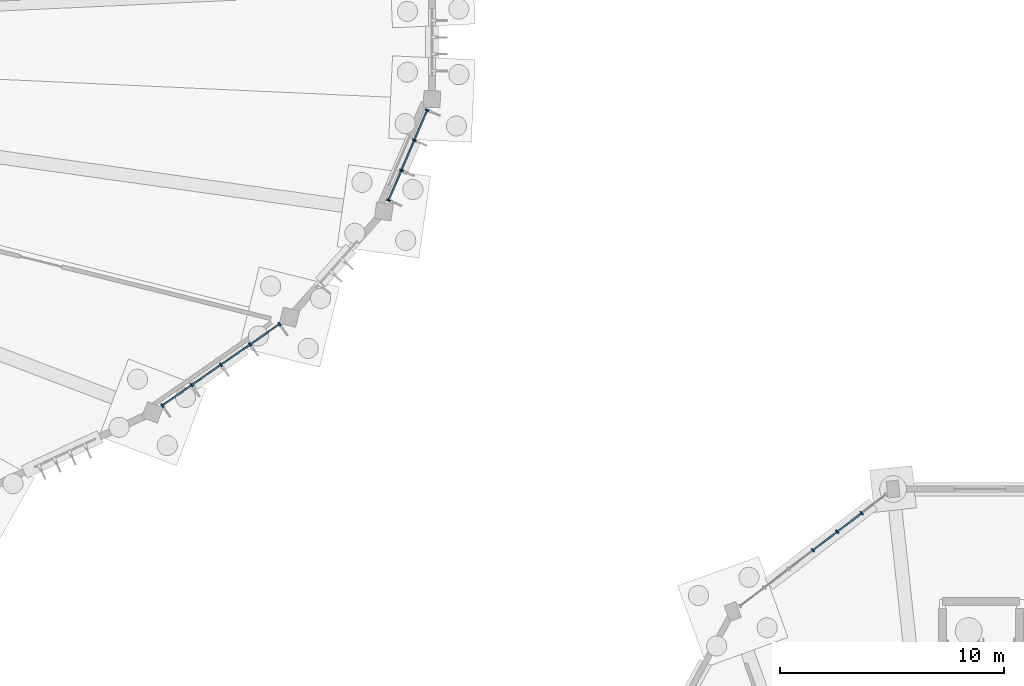
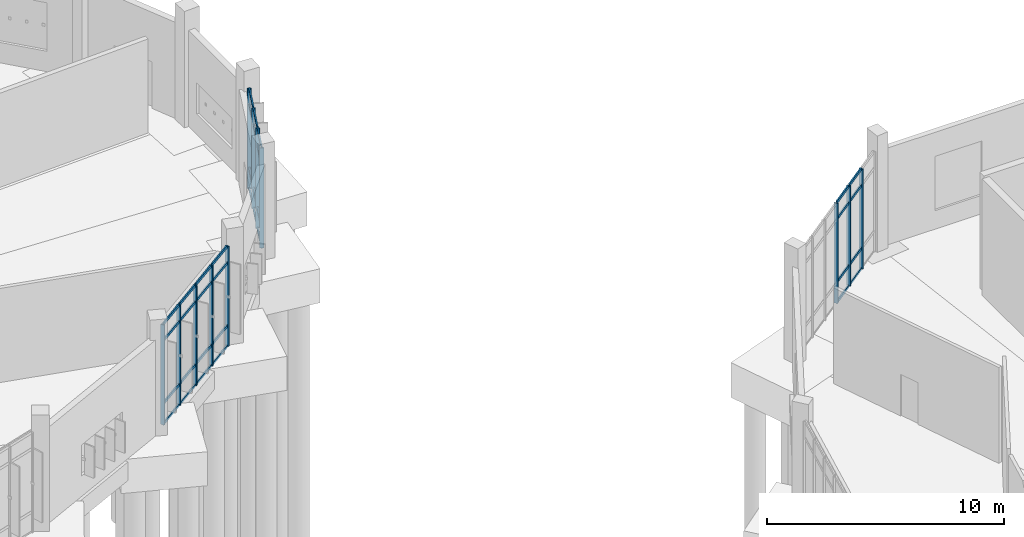
# One storey, part 49 of 140: 48 members, 3 elements without a shape of their own.
"""IFC4 building model written with IfcOpenShell, lengths in metres."""

from ifc_helpers import new_model, si_unit, direction, frame, origin, origin_2d, place, context, subcontext, project, spatial, rectangle, extrude, material, layer, layer_set, material_profile, profile_set, type_object, element, aggregate, save


model = new_model("IFC4")

# Units and contexts
model_context = context("Model", 3, precision=1e-05, world=origin(), true_north=direction((0.0, 1.0)))
body_context = subcontext(model_context, "Body", "Model", "MODEL_VIEW")
ifc_project = project(units=[si_unit("LENGTHUNIT", "METRE"), si_unit("AREAUNIT", "SQUARE_METRE"), si_unit("VOLUMEUNIT", "CUBIC_METRE"), si_unit("PLANEANGLEUNIT", "RADIAN"), si_unit("MASSUNIT", "GRAM", prefix="KILO")], contexts=[model_context])

# Site, building, storey
site_placement = place(None, origin())
site = spatial("IfcSite", under=ifc_project, at=site_placement, CompositionType="ELEMENT")
building_placement = place(site_placement, origin())
building = spatial("IfcBuilding", under=site, at=building_placement, Name="Corvandel Quay Wholesale Market", CompositionType="ELEMENT")
storey_placement = place(building_placement, origin())
storey = spatial("IfcBuildingStorey", under=building, at=storey_placement, Name="L00", CompositionType="ELEMENT", Elevation=0.0)

# Curtain wall, members
ifc_material_1 = material(Name="Bronze anodised aluminium and low-E insulated glazing", Category="aluminium")
ifc_layer_1 = layer(ifc_material_1, 0.18603515625)
ifc_layer_set_1 = layer_set([ifc_layer_1], Name="Bronze anodised aluminium and low-E insulated glazing")
curtain_wall_type_1 = type_object("IfcCurtainWallType", Name="Stick Curtain Wall System CW03 H3270", PredefinedType="NOTDEFINED", material=ifc_layer_set_1)
curtain_wall_1_placement = place(storey_placement, origin())
curtain_wall_1 = element("IfcCurtainWall", 1, at=curtain_wall_1_placement, inside=storey, type_object=curtain_wall_type_1, Name="Curtain Wall CW-0126", PredefinedType="NOTDEFINED")
ifc_material_2 = material(Name="Anodised aluminium 6063-T6", Category="aluminium")
ifc_material_profile_1 = material_profile(ifc_material_2, rectangle(XDim=0.06494140625, YDim=0.179931640625, at=origin_2d()), Name="ALU-MUL-65x180")
ifc_profile_set_1 = profile_set([ifc_material_profile_1], Name="Anodised aluminium 6063-T6")
member_type_1 = type_object("IfcMemberType", Name="Curtain Wall Mullion ML01 65x180", PredefinedType="MULLION", material=ifc_profile_set_1)
member_1_placement = place(storey_placement, frame((157.94140625, 99.734130859375, 0.0), z_axis=(0.0, 0.0, 1.0), x_axis=(0.821248804935, 0.570570241419, 0.0)))
member_1 = element("IfcMember", 2, at=member_1_placement, type_object=member_type_1, Name="Mullion CW-0126-M00", PredefinedType="MULLION", context=body_context, shape_type="SweptSolid", body=[
    extrude(rectangle(XDim=0.06494140625, YDim=0.179931640625, at=origin_2d()), origin(), (0.0, 0.0, 1.0), 5.14990234375),
])
member_2_placement = place(storey_placement, frame((159.251953125, 100.64453125, 0.0), z_axis=(0.0, 0.0, 1.0), x_axis=(0.821248804935, 0.570570241419, 0.0)))
member_2 = element("IfcMember", 3, at=member_2_placement, type_object=member_type_1, Name="Mullion CW-0126-M01", PredefinedType="MULLION", context=body_context, shape_type="SweptSolid", body=[
    extrude(rectangle(XDim=0.06494140625, YDim=0.179931640625, at=origin_2d()), origin(), (0.0, 0.0, 1.0), 5.14990234375),
])
member_3_placement = place(storey_placement, frame((160.5625, 101.554931640625, 0.0), z_axis=(0.0, 0.0, 1.0), x_axis=(0.821248804935, 0.570570241419, 0.0)))
member_3 = element("IfcMember", 4, at=member_3_placement, type_object=member_type_1, Name="Mullion CW-0126-M02", PredefinedType="MULLION", context=body_context, shape_type="SweptSolid", body=[
    extrude(rectangle(XDim=0.06494140625, YDim=0.179931640625, at=origin_2d()), origin(), (0.0, 0.0, 1.0), 5.14990234375),
])
member_4_placement = place(storey_placement, frame((161.873046875, 102.465576171875, 0.0), z_axis=(0.0, 0.0, 1.0), x_axis=(0.821248804935, 0.570570241419, 0.0)))
member_4 = element("IfcMember", 5, at=member_4_placement, type_object=member_type_1, Name="Mullion CW-0126-M03", PredefinedType="MULLION", context=body_context, shape_type="SweptSolid", body=[
    extrude(rectangle(XDim=0.06494140625, YDim=0.179931640625, at=origin_2d()), origin(), (0.0, 0.0, 1.0), 5.14990234375),
])
member_5_placement = place(storey_placement, frame((163.18359375, 103.3759765625, 0.0), z_axis=(0.0, 0.0, 1.0), x_axis=(0.821248804935, 0.570570241419, 0.0)))
member_5 = element("IfcMember", 6, at=member_5_placement, type_object=member_type_1, Name="Mullion CW-0126-M04", PredefinedType="MULLION", context=body_context, shape_type="SweptSolid", body=[
    extrude(rectangle(XDim=0.06494140625, YDim=0.179931640625, at=origin_2d()), origin(), (0.0, 0.0, 1.0), 5.14990234375),
])

ifc_layer_2 = layer(ifc_material_1, 0.14990234375)
ifc_layer_set_2 = layer_set([ifc_layer_2], Name="Bronze anodised aluminium and low-E insulated glazing")
curtain_wall_type_2 = type_object("IfcCurtainWallType", Name="Stick Curtain Wall System CW05 H3450", PredefinedType="NOTDEFINED", material=ifc_layer_set_2)
curtain_wall_2_placement = place(storey_placement, origin())
curtain_wall_2 = element("IfcCurtainWall", 7, at=curtain_wall_2_placement, inside=storey, type_object=curtain_wall_type_2, Name="Curtain Wall CW-0128", PredefinedType="NOTDEFINED")
member_6_placement = place(storey_placement, frame((168.060791015625, 108.912353515625, 0.0), z_axis=(0.0, 0.0, 1.0), x_axis=(0.393781484212, 0.919204081089, 0.0)))
member_6 = element("IfcMember", 8, at=member_6_placement, type_object=member_type_1, Name="Mullion CW-0128-M00", PredefinedType="MULLION", context=body_context, shape_type="SweptSolid", body=[
    extrude(rectangle(XDim=0.06494140625, YDim=0.179931640625, at=origin_2d()), origin(), (0.0, 0.0, 1.0), 5.14990234375),
])
member_7_placement = place(storey_placement, frame((168.63623046875, 110.255859375, 0.0), z_axis=(0.0, 0.0, 1.0), x_axis=(0.393781484212, 0.919204081089, 0.0)))
member_7 = element("IfcMember", 9, at=member_7_placement, type_object=member_type_1, Name="Mullion CW-0128-M01", PredefinedType="MULLION", context=body_context, shape_type="SweptSolid", body=[
    extrude(rectangle(XDim=0.06494140625, YDim=0.179931640625, at=origin_2d()), origin(), (0.0, 0.0, 1.0), 5.14990234375),
])
member_8_placement = place(storey_placement, frame((169.2119140625, 111.59912109375, 0.0), z_axis=(0.0, 0.0, 1.0), x_axis=(0.393781484212, 0.919204081089, 0.0)))
member_8 = element("IfcMember", 10, at=member_8_placement, type_object=member_type_1, Name="Mullion CW-0128-M02", PredefinedType="MULLION", context=body_context, shape_type="SweptSolid", body=[
    extrude(rectangle(XDim=0.06494140625, YDim=0.179931640625, at=origin_2d()), origin(), (0.0, 0.0, 1.0), 5.14990234375),
])
member_9_placement = place(storey_placement, frame((169.787353515625, 112.942626953125, 0.0), z_axis=(0.0, 0.0, 1.0), x_axis=(0.393781484212, 0.919204081089, 0.0)))
member_9 = element("IfcMember", 11, at=member_9_placement, type_object=member_type_1, Name="Mullion CW-0128-M03", PredefinedType="MULLION", context=body_context, shape_type="SweptSolid", body=[
    extrude(rectangle(XDim=0.06494140625, YDim=0.179931640625, at=origin_2d()), origin(), (0.0, 0.0, 1.0), 5.14990234375),
])

ifc_layer_3 = layer(ifc_material_1, 0.162109375)
ifc_layer_set_3 = layer_set([ifc_layer_3], Name="Bronze anodised aluminium and low-E insulated glazing")
curtain_wall_type_3 = type_object("IfcCurtainWallType", Name="Stick Curtain Wall System CW06 H3540", PredefinedType="NOTDEFINED", material=ifc_layer_set_3)
curtain_wall_3_placement = place(storey_placement, origin())
curtain_wall_3 = element("IfcCurtainWall", 12, at=curtain_wall_3_placement, inside=storey, type_object=curtain_wall_type_3, Name="Curtain Wall CW-0133", PredefinedType="NOTDEFINED")
member_10_placement = place(storey_placement, frame((189.214599609375, 94.924560546875, 0.0), z_axis=(0.0, 0.0, 1.0), x_axis=(0.794308601354, 0.607514481979, 0.0)))
member_10 = element("IfcMember", 13, at=member_10_placement, type_object=member_type_1, Name="Mullion CW-0133-M01", PredefinedType="MULLION", context=body_context, shape_type="SweptSolid", body=[
    extrude(rectangle(XDim=0.06494140625, YDim=0.179931640625, at=origin_2d()), origin(), (0.0, 0.0, 1.0), 5.14990234375),
])
member_11_placement = place(storey_placement, frame((188.126220703125, 94.092041015625, 0.0), z_axis=(0.0, 0.0, 1.0), x_axis=(0.794308601354, 0.607514481979, 0.0)))
member_11 = element("IfcMember", 14, at=member_11_placement, type_object=member_type_1, Name="Mullion CW-0133-M02", PredefinedType="MULLION", context=body_context, shape_type="SweptSolid", body=[
    extrude(rectangle(XDim=0.06494140625, YDim=0.179931640625, at=origin_2d()), origin(), (0.0, 0.0, 1.0), 5.14990234375),
])
member_12_placement = place(storey_placement, frame((187.03759765625, 93.259521484375, 0.0), z_axis=(0.0, 0.0, 1.0), x_axis=(0.794308601354, 0.607514481979, 0.0)))
member_12 = element("IfcMember", 15, at=member_12_placement, type_object=member_type_1, Name="Mullion CW-0133-M03", PredefinedType="MULLION", context=body_context, shape_type="SweptSolid", body=[
    extrude(rectangle(XDim=0.06494140625, YDim=0.179931640625, at=origin_2d()), origin(), (0.0, 0.0, 1.0), 5.14990234375),
])

# Member
ifc_material_profile_2 = material_profile(ifc_material_2, rectangle(XDim=0.06494140625, YDim=0.139892578125, at=origin_2d()), Name="ALU-TRN-65x140")
ifc_profile_set_2 = profile_set([ifc_material_profile_2], Name="Anodised aluminium 6063-T6")
member_type_2 = type_object("IfcMemberType", Name="Curtain Wall Transom TR01 65x140", PredefinedType="USERDEFINED", material=ifc_profile_set_2)
member_13_placement = place(storey_placement, frame((157.96826171875, 99.752685546875, 0.0), z_axis=(0.821272392975, 0.570536288536, 0.0), x_axis=(-0.570536288536, 0.821272392975, 0.0)))
member_13 = element("IfcMember", 16, at=member_13_placement, type_object=member_type_2, Name="Transom CW-0126-T00-0", ObjectType="TRANSOM", PredefinedType="USERDEFINED", context=body_context, shape_type="SweptSolid", body=[
    extrude(rectangle(XDim=0.06494140625, YDim=0.139892578125, at=origin_2d()), origin(), (0.0, 0.0, 1.0), 1.53076171875),
])

member_14_placement = place(storey_placement, frame((157.96826171875, 99.752685546875, 1.050048828125), z_axis=(0.821272392975, 0.570536288536, 0.0), x_axis=(-0.570536288536, 0.821272392975, 0.0)))
member_14 = element("IfcMember", 17, at=member_14_placement, type_object=member_type_2, Name="Transom CW-0126-T00-1", ObjectType="TRANSOM", PredefinedType="USERDEFINED", context=body_context, shape_type="SweptSolid", body=[
    extrude(rectangle(XDim=0.06494140625, YDim=0.139892578125, at=origin_2d()), origin(), (0.0, 0.0, 1.0), 1.53076171875),
])

member_15_placement = place(storey_placement, frame((157.96826171875, 99.752685546875, 4.300048828125), z_axis=(0.821272392975, 0.570536288536, 0.0), x_axis=(-0.570536288536, 0.821272392975, 0.0)))
member_15 = element("IfcMember", 18, at=member_15_placement, type_object=member_type_2, Name="Transom CW-0126-T00-2", ObjectType="TRANSOM", PredefinedType="USERDEFINED", context=body_context, shape_type="SweptSolid", body=[
    extrude(rectangle(XDim=0.06494140625, YDim=0.139892578125, at=origin_2d()), origin(), (0.0, 0.0, 1.0), 1.53076171875),
])

member_16_placement = place(storey_placement, frame((157.96826171875, 99.752685546875, 5.14990234375), z_axis=(0.821272392975, 0.570536288536, 0.0), x_axis=(-0.570536288536, 0.821272392975, 0.0)))
member_16 = element("IfcMember", 19, at=member_16_placement, type_object=member_type_2, Name="Transom CW-0126-T00-3", ObjectType="TRANSOM", PredefinedType="USERDEFINED", context=body_context, shape_type="SweptSolid", body=[
    extrude(rectangle(XDim=0.06494140625, YDim=0.139892578125, at=origin_2d()), origin(), (0.0, 0.0, 1.0), 1.53076171875),
])

member_17_placement = place(storey_placement, frame((159.27880859375, 100.6630859375, 0.0), z_axis=(0.821197655875, 0.570643855646, 0.0), x_axis=(-0.570643855646, 0.821197655875, 0.0)))
member_17 = element("IfcMember", 20, at=member_17_placement, type_object=member_type_2, Name="Transom CW-0126-T01-0", ObjectType="TRANSOM", PredefinedType="USERDEFINED", context=body_context, shape_type="SweptSolid", body=[
    extrude(rectangle(XDim=0.06494140625, YDim=0.139892578125, at=origin_2d()), origin(), (0.0, 0.0, 1.0), 1.53076171875),
])

member_18_placement = place(storey_placement, frame((159.27880859375, 100.6630859375, 1.050048828125), z_axis=(0.821197655875, 0.570643855646, 0.0), x_axis=(-0.570643855646, 0.821197655875, 0.0)))
member_18 = element("IfcMember", 21, at=member_18_placement, type_object=member_type_2, Name="Transom CW-0126-T01-1", ObjectType="TRANSOM", PredefinedType="USERDEFINED", context=body_context, shape_type="SweptSolid", body=[
    extrude(rectangle(XDim=0.06494140625, YDim=0.139892578125, at=origin_2d()), origin(), (0.0, 0.0, 1.0), 1.53076171875),
])

member_19_placement = place(storey_placement, frame((159.27880859375, 100.6630859375, 4.300048828125), z_axis=(0.821197655875, 0.570643855646, 0.0), x_axis=(-0.570643855646, 0.821197655875, 0.0)))
member_19 = element("IfcMember", 22, at=member_19_placement, type_object=member_type_2, Name="Transom CW-0126-T01-2", ObjectType="TRANSOM", PredefinedType="USERDEFINED", context=body_context, shape_type="SweptSolid", body=[
    extrude(rectangle(XDim=0.06494140625, YDim=0.139892578125, at=origin_2d()), origin(), (0.0, 0.0, 1.0), 1.53076171875),
])

member_20_placement = place(storey_placement, frame((159.27880859375, 100.6630859375, 5.14990234375), z_axis=(0.821197655875, 0.570643855646, 0.0), x_axis=(-0.570643855646, 0.821197655875, 0.0)))
member_20 = element("IfcMember", 23, at=member_20_placement, type_object=member_type_2, Name="Transom CW-0126-T01-3", ObjectType="TRANSOM", PredefinedType="USERDEFINED", context=body_context, shape_type="SweptSolid", body=[
    extrude(rectangle(XDim=0.06494140625, YDim=0.139892578125, at=origin_2d()), origin(), (0.0, 0.0, 1.0), 1.53076171875),
])

member_21_placement = place(storey_placement, frame((160.589111328125, 101.573486328125, 0.0), z_axis=(0.821197655875, 0.570643855646, 0.0), x_axis=(-0.570643855646, 0.821197655875, 0.0)))
member_21 = element("IfcMember", 24, at=member_21_placement, type_object=member_type_2, Name="Transom CW-0126-T02-0", ObjectType="TRANSOM", PredefinedType="USERDEFINED", context=body_context, shape_type="SweptSolid", body=[
    extrude(rectangle(XDim=0.06494140625, YDim=0.139892578125, at=origin_2d()), origin(), (0.0, 0.0, 1.0), 1.53076171875),
])

member_22_placement = place(storey_placement, frame((160.589111328125, 101.573486328125, 1.050048828125), z_axis=(0.821197655875, 0.570643855646, 0.0), x_axis=(-0.570643855646, 0.821197655875, 0.0)))
member_22 = element("IfcMember", 25, at=member_22_placement, type_object=member_type_2, Name="Transom CW-0126-T02-1", ObjectType="TRANSOM", PredefinedType="USERDEFINED", context=body_context, shape_type="SweptSolid", body=[
    extrude(rectangle(XDim=0.06494140625, YDim=0.139892578125, at=origin_2d()), origin(), (0.0, 0.0, 1.0), 1.53076171875),
])

member_23_placement = place(storey_placement, frame((160.589111328125, 101.573486328125, 4.300048828125), z_axis=(0.821197655875, 0.570643855646, 0.0), x_axis=(-0.570643855646, 0.821197655875, 0.0)))
member_23 = element("IfcMember", 26, at=member_23_placement, type_object=member_type_2, Name="Transom CW-0126-T02-2", ObjectType="TRANSOM", PredefinedType="USERDEFINED", context=body_context, shape_type="SweptSolid", body=[
    extrude(rectangle(XDim=0.06494140625, YDim=0.139892578125, at=origin_2d()), origin(), (0.0, 0.0, 1.0), 1.53076171875),
])

member_24_placement = place(storey_placement, frame((160.589111328125, 101.573486328125, 5.14990234375), z_axis=(0.821197655875, 0.570643855646, 0.0), x_axis=(-0.570643855646, 0.821197655875, 0.0)))
member_24 = element("IfcMember", 27, at=member_24_placement, type_object=member_type_2, Name="Transom CW-0126-T02-3", ObjectType="TRANSOM", PredefinedType="USERDEFINED", context=body_context, shape_type="SweptSolid", body=[
    extrude(rectangle(XDim=0.06494140625, YDim=0.139892578125, at=origin_2d()), origin(), (0.0, 0.0, 1.0), 1.53076171875),
])

member_25_placement = place(storey_placement, frame((161.899658203125, 102.48388671875, 0.0), z_axis=(0.821197655875, 0.570643855646, 0.0), x_axis=(-0.570643855646, 0.821197655875, 0.0)))
member_25 = element("IfcMember", 28, at=member_25_placement, type_object=member_type_2, Name="Transom CW-0126-T03-0", ObjectType="TRANSOM", PredefinedType="USERDEFINED", context=body_context, shape_type="SweptSolid", body=[
    extrude(rectangle(XDim=0.06494140625, YDim=0.139892578125, at=origin_2d()), origin(), (0.0, 0.0, 1.0), 1.53076171875),
])

member_26_placement = place(storey_placement, frame((161.899658203125, 102.48388671875, 1.050048828125), z_axis=(0.821197655875, 0.570643855646, 0.0), x_axis=(-0.570643855646, 0.821197655875, 0.0)))
member_26 = element("IfcMember", 29, at=member_26_placement, type_object=member_type_2, Name="Transom CW-0126-T03-1", ObjectType="TRANSOM", PredefinedType="USERDEFINED", context=body_context, shape_type="SweptSolid", body=[
    extrude(rectangle(XDim=0.06494140625, YDim=0.139892578125, at=origin_2d()), origin(), (0.0, 0.0, 1.0), 1.53076171875),
])

member_27_placement = place(storey_placement, frame((161.899658203125, 102.48388671875, 4.300048828125), z_axis=(0.821197655875, 0.570643855646, 0.0), x_axis=(-0.570643855646, 0.821197655875, 0.0)))
member_27 = element("IfcMember", 30, at=member_27_placement, type_object=member_type_2, Name="Transom CW-0126-T03-2", ObjectType="TRANSOM", PredefinedType="USERDEFINED", context=body_context, shape_type="SweptSolid", body=[
    extrude(rectangle(XDim=0.06494140625, YDim=0.139892578125, at=origin_2d()), origin(), (0.0, 0.0, 1.0), 1.53076171875),
])

member_28_placement = place(storey_placement, frame((161.899658203125, 102.48388671875, 5.14990234375), z_axis=(0.821197655875, 0.570643855646, 0.0), x_axis=(-0.570643855646, 0.821197655875, 0.0)))
member_28 = element("IfcMember", 31, at=member_28_placement, type_object=member_type_2, Name="Transom CW-0126-T03-3", ObjectType="TRANSOM", PredefinedType="USERDEFINED", context=body_context, shape_type="SweptSolid", body=[
    extrude(rectangle(XDim=0.06494140625, YDim=0.139892578125, at=origin_2d()), origin(), (0.0, 0.0, 1.0), 1.53076171875),
])

aggregate(curtain_wall_1, [member_1, member_2, member_3, member_4, member_5, member_13, member_14, member_15, member_16, member_17, member_18, member_19, member_20, member_21, member_22, member_23, member_24, member_25, member_26, member_27, member_28])

member_29_placement = place(storey_placement, frame((168.073486328125, 108.9423828125, 0.0), z_axis=(0.393771571872, 0.919208327413, 0.0), x_axis=(-0.919208327413, 0.393771571872, 0.0)))
member_29 = element("IfcMember", 32, at=member_29_placement, type_object=member_type_2, Name="Transom CW-0128-T00-0", ObjectType="TRANSOM", PredefinedType="USERDEFINED", context=body_context, shape_type="SweptSolid", body=[
    extrude(rectangle(XDim=0.06494140625, YDim=0.139892578125, at=origin_2d()), origin(), (0.0, 0.0, 1.0), 1.396240234375),
])

member_30_placement = place(storey_placement, frame((168.073486328125, 108.9423828125, 1.050048828125), z_axis=(0.393771571872, 0.919208327413, 0.0), x_axis=(-0.919208327413, 0.393771571872, 0.0)))
member_30 = element("IfcMember", 33, at=member_30_placement, type_object=member_type_2, Name="Transom CW-0128-T00-1", ObjectType="TRANSOM", PredefinedType="USERDEFINED", context=body_context, shape_type="SweptSolid", body=[
    extrude(rectangle(XDim=0.06494140625, YDim=0.139892578125, at=origin_2d()), origin(), (0.0, 0.0, 1.0), 1.396240234375),
])

member_31_placement = place(storey_placement, frame((168.073486328125, 108.9423828125, 4.300048828125), z_axis=(0.393771571872, 0.919208327413, 0.0), x_axis=(-0.919208327413, 0.393771571872, 0.0)))
member_31 = element("IfcMember", 34, at=member_31_placement, type_object=member_type_2, Name="Transom CW-0128-T00-2", ObjectType="TRANSOM", PredefinedType="USERDEFINED", context=body_context, shape_type="SweptSolid", body=[
    extrude(rectangle(XDim=0.06494140625, YDim=0.139892578125, at=origin_2d()), origin(), (0.0, 0.0, 1.0), 1.396240234375),
])

member_32_placement = place(storey_placement, frame((168.073486328125, 108.9423828125, 5.14990234375), z_axis=(0.393771571872, 0.919208327413, 0.0), x_axis=(-0.919208327413, 0.393771571872, 0.0)))
member_32 = element("IfcMember", 35, at=member_32_placement, type_object=member_type_2, Name="Transom CW-0128-T00-3", ObjectType="TRANSOM", PredefinedType="USERDEFINED", context=body_context, shape_type="SweptSolid", body=[
    extrude(rectangle(XDim=0.06494140625, YDim=0.139892578125, at=origin_2d()), origin(), (0.0, 0.0, 1.0), 1.396240234375),
])

member_33_placement = place(storey_placement, frame((168.64892578125, 110.28564453125, 0.0), z_axis=(0.393856002911, 0.919172154153, 0.0), x_axis=(-0.919172154153, 0.393856002911, 0.0)))
member_33 = element("IfcMember", 36, at=member_33_placement, type_object=member_type_2, Name="Transom CW-0128-T01-0", ObjectType="TRANSOM", PredefinedType="USERDEFINED", context=body_context, shape_type="SweptSolid", body=[
    extrude(rectangle(XDim=0.06494140625, YDim=0.139892578125, at=origin_2d()), origin(), (0.0, 0.0, 1.0), 1.396484375),
])

member_34_placement = place(storey_placement, frame((168.64892578125, 110.28564453125, 1.050048828125), z_axis=(0.393856002911, 0.919172154153, 0.0), x_axis=(-0.919172154153, 0.393856002911, 0.0)))
member_34 = element("IfcMember", 37, at=member_34_placement, type_object=member_type_2, Name="Transom CW-0128-T01-1", ObjectType="TRANSOM", PredefinedType="USERDEFINED", context=body_context, shape_type="SweptSolid", body=[
    extrude(rectangle(XDim=0.06494140625, YDim=0.139892578125, at=origin_2d()), origin(), (0.0, 0.0, 1.0), 1.396484375),
])

member_35_placement = place(storey_placement, frame((168.64892578125, 110.28564453125, 4.300048828125), z_axis=(0.393856002911, 0.919172154153, 0.0), x_axis=(-0.919172154153, 0.393856002911, 0.0)))
member_35 = element("IfcMember", 38, at=member_35_placement, type_object=member_type_2, Name="Transom CW-0128-T01-2", ObjectType="TRANSOM", PredefinedType="USERDEFINED", context=body_context, shape_type="SweptSolid", body=[
    extrude(rectangle(XDim=0.06494140625, YDim=0.139892578125, at=origin_2d()), origin(), (0.0, 0.0, 1.0), 1.396484375),
])

member_36_placement = place(storey_placement, frame((168.64892578125, 110.28564453125, 5.14990234375), z_axis=(0.393856002911, 0.919172154153, 0.0), x_axis=(-0.919172154153, 0.393856002911, 0.0)))
member_36 = element("IfcMember", 39, at=member_36_placement, type_object=member_type_2, Name="Transom CW-0128-T01-3", ObjectType="TRANSOM", PredefinedType="USERDEFINED", context=body_context, shape_type="SweptSolid", body=[
    extrude(rectangle(XDim=0.06494140625, YDim=0.139892578125, at=origin_2d()), origin(), (0.0, 0.0, 1.0), 1.396484375),
])

member_37_placement = place(storey_placement, frame((169.224609375, 111.629150390625, 0.0), z_axis=(0.393771571872, 0.919208327413, 0.0), x_axis=(-0.919208327413, 0.393771571872, 0.0)))
member_37 = element("IfcMember", 40, at=member_37_placement, type_object=member_type_2, Name="Transom CW-0128-T02-0", ObjectType="TRANSOM", PredefinedType="USERDEFINED", context=body_context, shape_type="SweptSolid", body=[
    extrude(rectangle(XDim=0.06494140625, YDim=0.139892578125, at=origin_2d()), origin(), (0.0, 0.0, 1.0), 1.396240234375),
])

member_38_placement = place(storey_placement, frame((169.224609375, 111.629150390625, 1.050048828125), z_axis=(0.393771571872, 0.919208327413, 0.0), x_axis=(-0.919208327413, 0.393771571872, 0.0)))
member_38 = element("IfcMember", 41, at=member_38_placement, type_object=member_type_2, Name="Transom CW-0128-T02-1", ObjectType="TRANSOM", PredefinedType="USERDEFINED", context=body_context, shape_type="SweptSolid", body=[
    extrude(rectangle(XDim=0.06494140625, YDim=0.139892578125, at=origin_2d()), origin(), (0.0, 0.0, 1.0), 1.396240234375),
])

member_39_placement = place(storey_placement, frame((169.224609375, 111.629150390625, 4.300048828125), z_axis=(0.393771571872, 0.919208327413, 0.0), x_axis=(-0.919208327413, 0.393771571872, 0.0)))
member_39 = element("IfcMember", 42, at=member_39_placement, type_object=member_type_2, Name="Transom CW-0128-T02-2", ObjectType="TRANSOM", PredefinedType="USERDEFINED", context=body_context, shape_type="SweptSolid", body=[
    extrude(rectangle(XDim=0.06494140625, YDim=0.139892578125, at=origin_2d()), origin(), (0.0, 0.0, 1.0), 1.396240234375),
])

member_40_placement = place(storey_placement, frame((169.224609375, 111.629150390625, 5.14990234375), z_axis=(0.393771571872, 0.919208327413, 0.0), x_axis=(-0.919208327413, 0.393771571872, 0.0)))
member_40 = element("IfcMember", 43, at=member_40_placement, type_object=member_type_2, Name="Transom CW-0128-T02-3", ObjectType="TRANSOM", PredefinedType="USERDEFINED", context=body_context, shape_type="SweptSolid", body=[
    extrude(rectangle(XDim=0.06494140625, YDim=0.139892578125, at=origin_2d()), origin(), (0.0, 0.0, 1.0), 1.396240234375),
])

aggregate(curtain_wall_2, [member_6, member_7, member_8, member_9, member_29, member_30, member_31, member_32, member_33, member_34, member_35, member_36, member_37, member_38, member_39, member_40])

member_41_placement = place(storey_placement, frame((189.188720703125, 94.90478515625, 0.0), z_axis=(-0.794331288163, -0.607484818449, 0.0), x_axis=(0.607484818449, -0.794331288163, 0.0)))
member_41 = element("IfcMember", 44, at=member_41_placement, type_object=member_type_2, Name="Transom CW-0133-T01-0", ObjectType="TRANSOM", PredefinedType="USERDEFINED", context=body_context, shape_type="SweptSolid", body=[
    extrude(rectangle(XDim=0.06494140625, YDim=0.139892578125, at=origin_2d()), origin(), (0.0, 0.0, 1.0), 1.305419921875),
])

member_42_placement = place(storey_placement, frame((189.188720703125, 94.90478515625, 1.050048828125), z_axis=(-0.794331288163, -0.607484818449, 0.0), x_axis=(0.607484818449, -0.794331288163, 0.0)))
member_42 = element("IfcMember", 45, at=member_42_placement, type_object=member_type_2, Name="Transom CW-0133-T01-1", ObjectType="TRANSOM", PredefinedType="USERDEFINED", context=body_context, shape_type="SweptSolid", body=[
    extrude(rectangle(XDim=0.06494140625, YDim=0.139892578125, at=origin_2d()), origin(), (0.0, 0.0, 1.0), 1.305419921875),
])

member_43_placement = place(storey_placement, frame((189.188720703125, 94.90478515625, 4.300048828125), z_axis=(-0.794331288163, -0.607484818449, 0.0), x_axis=(0.607484818449, -0.794331288163, 0.0)))
member_43 = element("IfcMember", 46, at=member_43_placement, type_object=member_type_2, Name="Transom CW-0133-T01-2", ObjectType="TRANSOM", PredefinedType="USERDEFINED", context=body_context, shape_type="SweptSolid", body=[
    extrude(rectangle(XDim=0.06494140625, YDim=0.139892578125, at=origin_2d()), origin(), (0.0, 0.0, 1.0), 1.305419921875),
])

member_44_placement = place(storey_placement, frame((189.188720703125, 94.90478515625, 5.14990234375), z_axis=(-0.794331288163, -0.607484818449, 0.0), x_axis=(0.607484818449, -0.794331288163, 0.0)))
member_44 = element("IfcMember", 47, at=member_44_placement, type_object=member_type_2, Name="Transom CW-0133-T01-3", ObjectType="TRANSOM", PredefinedType="USERDEFINED", context=body_context, shape_type="SweptSolid", body=[
    extrude(rectangle(XDim=0.06494140625, YDim=0.139892578125, at=origin_2d()), origin(), (0.0, 0.0, 1.0), 1.305419921875),
])

member_45_placement = place(storey_placement, frame((188.100341796875, 94.072265625, 0.0), z_axis=(-0.794400295217, -0.607394576004, 0.0), x_axis=(0.607394576004, -0.794400295217, 0.0)))
member_45 = element("IfcMember", 48, at=member_45_placement, type_object=member_type_2, Name="Transom CW-0133-T02-0", ObjectType="TRANSOM", PredefinedType="USERDEFINED", context=body_context, shape_type="SweptSolid", body=[
    extrude(rectangle(XDim=0.06494140625, YDim=0.139892578125, at=origin_2d()), origin(), (0.0, 0.0, 1.0), 1.305419921875),
])

member_46_placement = place(storey_placement, frame((188.100341796875, 94.072265625, 1.050048828125), z_axis=(-0.794400295217, -0.607394576004, 0.0), x_axis=(0.607394576004, -0.794400295217, 0.0)))
member_46 = element("IfcMember", 49, at=member_46_placement, type_object=member_type_2, Name="Transom CW-0133-T02-1", ObjectType="TRANSOM", PredefinedType="USERDEFINED", context=body_context, shape_type="SweptSolid", body=[
    extrude(rectangle(XDim=0.06494140625, YDim=0.139892578125, at=origin_2d()), origin(), (0.0, 0.0, 1.0), 1.305419921875),
])

member_47_placement = place(storey_placement, frame((188.100341796875, 94.072265625, 4.300048828125), z_axis=(-0.794400295217, -0.607394576004, 0.0), x_axis=(0.607394576004, -0.794400295217, 0.0)))
member_47 = element("IfcMember", 50, at=member_47_placement, type_object=member_type_2, Name="Transom CW-0133-T02-2", ObjectType="TRANSOM", PredefinedType="USERDEFINED", context=body_context, shape_type="SweptSolid", body=[
    extrude(rectangle(XDim=0.06494140625, YDim=0.139892578125, at=origin_2d()), origin(), (0.0, 0.0, 1.0), 1.305419921875),
])

member_48_placement = place(storey_placement, frame((188.100341796875, 94.072265625, 5.14990234375), z_axis=(-0.794400295217, -0.607394576004, 0.0), x_axis=(0.607394576004, -0.794400295217, 0.0)))
member_48 = element("IfcMember", 51, at=member_48_placement, type_object=member_type_2, Name="Transom CW-0133-T02-3", ObjectType="TRANSOM", PredefinedType="USERDEFINED", context=body_context, shape_type="SweptSolid", body=[
    extrude(rectangle(XDim=0.06494140625, YDim=0.139892578125, at=origin_2d()), origin(), (0.0, 0.0, 1.0), 1.305419921875),
])

aggregate(curtain_wall_3, [member_10, member_11, member_12, member_41, member_42, member_43, member_44, member_45, member_46, member_47, member_48])

save(model, "model.ifc")
